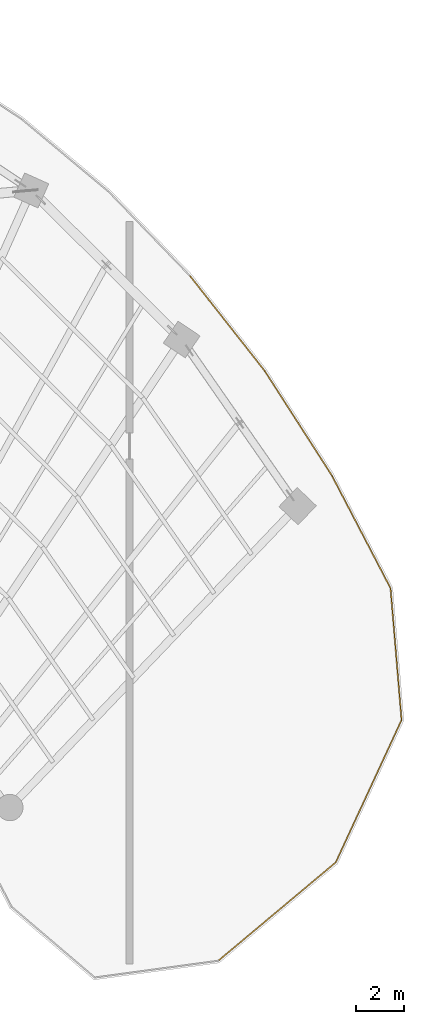
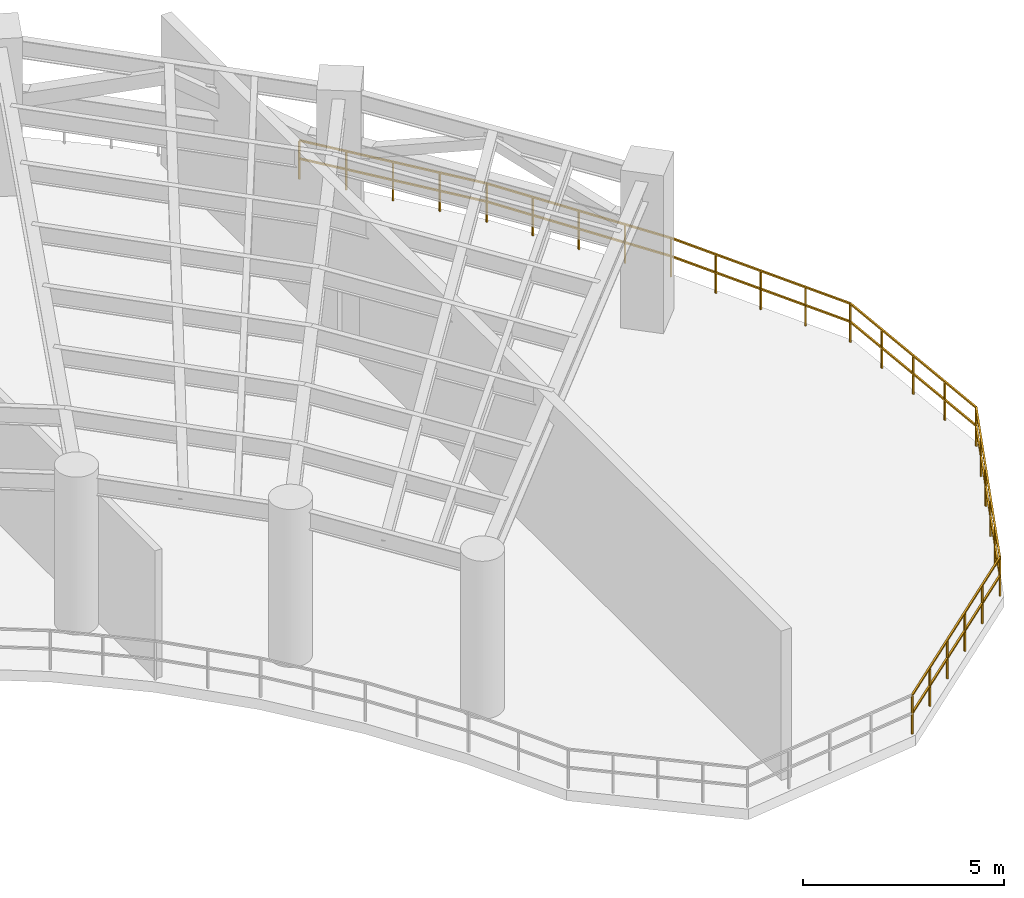
# One storey, part 19 of 19: 6 railings.
"""IFC4 building model written with IfcOpenShell, lengths in metres."""

from ifc_helpers import new_model, si_unit, direction, frame, origin, origin_2d, place, context, subcontext, project, spatial, rectangle, extrude, material, type_object, element, save


model = new_model("IFC4")

# Units and contexts
model_context = context("Model", 3, precision=1e-05, world=origin(), true_north=direction((0.0, 1.0)))
body_context = subcontext(model_context, "Body", "Model", "MODEL_VIEW")
ifc_project = project(units=[si_unit("LENGTHUNIT", "METRE"), si_unit("AREAUNIT", "SQUARE_METRE"), si_unit("VOLUMEUNIT", "CUBIC_METRE"), si_unit("PLANEANGLEUNIT", "RADIAN"), si_unit("MASSUNIT", "GRAM", prefix="KILO")], contexts=[model_context])

# Site, building, storey
site_placement = place(None, origin())
site = spatial("IfcSite", under=ifc_project, at=site_placement, CompositionType="ELEMENT")
building_placement = place(site_placement, origin())
building = spatial("IfcBuilding", under=site, at=building_placement, Name="Breltana Convention Tower", CompositionType="ELEMENT")
storey_placement = place(building_placement, frame((0.0, 0.0, 194.39990234375)))
storey = spatial("IfcBuildingStorey", under=building, at=storey_placement, Name="L47", CompositionType="ELEMENT", Elevation=194.39990234375)

# Railings
ifc_material = material(Name="Stainless Steel 316L", Category="steel")
railing_type = type_object("IfcRailingType", Name="RL-WIND-GUARD-1200", PredefinedType="BALUSTRADE", material=ifc_material)
railing_1_placement = place(storey_placement, frame((83.859130859375, 52.07958984375, 0.0)))
element("IfcRailing", 1, at=railing_1_placement, inside=storey, type_object=railing_type, Name="L47 perimeter balustrade 1", PredefinedType="BALUSTRADE", context=body_context, shape_type="SweptSolid", body=[
    extrude(rectangle(XDim=0.048095703125, YDim=0.048095703125, at=origin_2d()), frame((0.0, 0.0, 1.17578125), z_axis=(0.08330244177, -0.996524311392, 0.0), x_axis=(0.996524311392, 0.08330244177, 0.0)), (0.0, 0.0, 1.0), 5.50390625),
    extrude(rectangle(XDim=0.048095703125, YDim=0.048095703125, at=origin_2d()), frame((0.0, 0.0, 0.6240234375), z_axis=(0.08330244177, -0.996524311392, 0.0), x_axis=(0.996524311392, 0.08330244177, 0.0)), (0.0, 0.0, 1.0), 5.50390625),
    extrude(rectangle(XDim=0.0419921875, YDim=0.0419921875, at=origin_2d()), origin(), (0.0, 0.0, 1.0), 1.15185546875),
    extrude(rectangle(XDim=0.0419921875, YDim=0.0419921875, at=origin_2d()), frame((0.11474609375, -1.37109375, 0.0)), (0.0, 0.0, 1.0), 1.15185546875),
    extrude(rectangle(XDim=0.0419921875, YDim=0.0419921875, at=origin_2d()), frame((0.229248046875, -2.742431640625, 0.0)), (0.0, 0.0, 1.0), 1.15185546875),
    extrude(rectangle(XDim=0.0419921875, YDim=0.0419921875, at=origin_2d()), frame((0.34375, -4.11376953125, 0.0)), (0.0, 0.0, 1.0), 1.15185546875),
    extrude(rectangle(XDim=0.0419921875, YDim=0.0419921875, at=origin_2d()), frame((0.45849609375, -5.48486328125, 0.0)), (0.0, 0.0, 1.0), 1.15185546875),
])
railing_2_placement = place(storey_placement, frame((84.317626953125, 46.5947265625, 0.0)))
element("IfcRailing", 2, at=railing_2_placement, inside=storey, type_object=railing_type, Name="L47 perimeter balustrade 2", PredefinedType="BALUSTRADE", context=body_context, shape_type="SweptSolid", body=[
    extrude(rectangle(XDim=0.048095703125, YDim=0.048095703125, at=origin_2d()), frame((0.0, 0.0, 1.17578125), z_axis=(-0.419620331812, -0.907699717489, 0.0), x_axis=(0.907699717489, -0.419620331812, 0.0)), (0.0, 0.0, 1.0), 6.526123046875),
    extrude(rectangle(XDim=0.048095703125, YDim=0.048095703125, at=origin_2d()), frame((0.0, 0.0, 0.6240234375), z_axis=(-0.419620331812, -0.907699717489, 0.0), x_axis=(0.907699717489, -0.419620331812, 0.0)), (0.0, 0.0, 1.0), 6.526123046875),
    extrude(rectangle(XDim=0.0419921875, YDim=0.0419921875, at=origin_2d()), origin(), (0.0, 0.0, 1.0), 1.15185546875),
    extrude(rectangle(XDim=0.0419921875, YDim=0.0419921875, at=origin_2d()), frame((-0.547607421875, -1.184814453125, 0.0)), (0.0, 0.0, 1.0), 1.15185546875),
    extrude(rectangle(XDim=0.0419921875, YDim=0.0419921875, at=origin_2d()), frame((-1.095458984375, -2.36962890625, 0.0)), (0.0, 0.0, 1.0), 1.15185546875),
    extrude(rectangle(XDim=0.0419921875, YDim=0.0419921875, at=origin_2d()), frame((-1.64306640625, -3.55419921875, 0.0)), (0.0, 0.0, 1.0), 1.15185546875),
    extrude(rectangle(XDim=0.0419921875, YDim=0.0419921875, at=origin_2d()), frame((-2.19091796875, -4.739013671875, 0.0)), (0.0, 0.0, 1.0), 1.15185546875),
    extrude(rectangle(XDim=0.0419921875, YDim=0.0419921875, at=origin_2d()), frame((-2.738525390625, -5.923828125, 0.0)), (0.0, 0.0, 1.0), 1.15185546875),
])
railing_3_placement = place(storey_placement, frame((81.5791015625, 40.6708984375, 0.0)))
element("IfcRailing", 3, at=railing_3_placement, inside=storey, type_object=railing_type, Name="L47 perimeter balustrade 3", PredefinedType="BALUSTRADE", context=body_context, shape_type="SweptSolid", body=[
    extrude(rectangle(XDim=0.048095703125, YDim=0.048095703125, at=origin_2d()), frame((0.0, 0.0, 1.17578125), z_axis=(-0.766721722437, -0.641979594959, 0.0), x_axis=(0.641979594959, -0.766721722437, 0.0)), (0.0, 0.0, 1.0), 6.37451171875),
    extrude(rectangle(XDim=0.048095703125, YDim=0.048095703125, at=origin_2d()), frame((0.0, 0.0, 0.6240234375), z_axis=(-0.766721722437, -0.641979594959, 0.0), x_axis=(0.641979594959, -0.766721722437, 0.0)), (0.0, 0.0, 1.0), 6.37451171875),
    extrude(rectangle(XDim=0.0419921875, YDim=0.0419921875, at=origin_2d()), origin(), (0.0, 0.0, 1.0), 1.15185546875),
    extrude(rectangle(XDim=0.0419921875, YDim=0.0419921875, at=origin_2d()), frame((-0.9775390625, -0.818359375, 0.0)), (0.0, 0.0, 1.0), 1.15185546875),
    extrude(rectangle(XDim=0.0419921875, YDim=0.0419921875, at=origin_2d()), frame((-1.955078125, -1.636962890625, 0.0)), (0.0, 0.0, 1.0), 1.15185546875),
    extrude(rectangle(XDim=0.0419921875, YDim=0.0419921875, at=origin_2d()), frame((-2.932373046875, -2.455322265625, 0.0)), (0.0, 0.0, 1.0), 1.15185546875),
    extrude(rectangle(XDim=0.0419921875, YDim=0.0419921875, at=origin_2d()), frame((-3.909912109375, -3.27392578125, 0.0)), (0.0, 0.0, 1.0), 1.15185546875),
    extrude(rectangle(XDim=0.0419921875, YDim=0.0419921875, at=origin_2d()), frame((-4.887451171875, -4.09228515625, 0.0)), (0.0, 0.0, 1.0), 1.15185546875),
])
railing_4_placement = place(storey_placement, frame((75.517333984375, 65.072998046875, 0.0)))
element("IfcRailing", 4, at=railing_4_placement, inside=storey, type_object=railing_type, Name="L47 perimeter balustrade 67", PredefinedType="BALUSTRADE", context=body_context, shape_type="SweptSolid", body=[
    extrude(rectangle(XDim=0.048095703125, YDim=0.048095703125, at=origin_2d()), frame((0.0, 0.0, 1.17578125), z_axis=(0.618143380073, -0.786065367302, 0.0), x_axis=(0.786065367302, 0.618143380073, 0.0)), (0.0, 0.0, 1.0), 5.024658203125),
    extrude(rectangle(XDim=0.048095703125, YDim=0.048095703125, at=origin_2d()), frame((0.0, 0.0, 0.6240234375), z_axis=(0.618143380073, -0.786065367302, 0.0), x_axis=(0.786065367302, 0.618143380073, 0.0)), (0.0, 0.0, 1.0), 5.024658203125),
    extrude(rectangle(XDim=0.0419921875, YDim=0.0419921875, at=origin_2d()), origin(), (0.0, 0.0, 1.0), 1.15185546875),
    extrude(rectangle(XDim=0.0419921875, YDim=0.0419921875, at=origin_2d()), frame((0.7763671875, -0.9873046875, 0.0)), (0.0, 0.0, 1.0), 1.15185546875),
    extrude(rectangle(XDim=0.0419921875, YDim=0.0419921875, at=origin_2d()), frame((1.552978515625, -1.974853515625, 0.0)), (0.0, 0.0, 1.0), 1.15185546875),
    extrude(rectangle(XDim=0.0419921875, YDim=0.0419921875, at=origin_2d()), frame((2.32958984375, -2.96240234375, 0.0)), (0.0, 0.0, 1.0), 1.15185546875),
    extrude(rectangle(XDim=0.0419921875, YDim=0.0419921875, at=origin_2d()), frame((3.10595703125, -3.94970703125, 0.0)), (0.0, 0.0, 1.0), 1.15185546875),
])
railing_5_placement = place(storey_placement, frame((78.623291015625, 61.123291015625, 0.0)))
element("IfcRailing", 5, at=railing_5_placement, inside=storey, type_object=railing_type, Name="L47 perimeter balustrade 68", PredefinedType="BALUSTRADE", context=body_context, shape_type="SweptSolid", body=[
    extrude(rectangle(XDim=0.048095703125, YDim=0.048095703125, at=origin_2d()), frame((0.0, 0.0, 1.17578125), z_axis=(0.540198963589, -0.841537331161, 0.0), x_axis=(0.841537331161, 0.540198963589, 0.0)), (0.0, 0.0, 1.0), 5.169921875),
    extrude(rectangle(XDim=0.048095703125, YDim=0.048095703125, at=origin_2d()), frame((0.0, 0.0, 0.6240234375), z_axis=(0.540198963589, -0.841537331161, 0.0), x_axis=(0.841537331161, 0.540198963589, 0.0)), (0.0, 0.0, 1.0), 5.169921875),
    extrude(rectangle(XDim=0.0419921875, YDim=0.0419921875, at=origin_2d()), origin(), (0.0, 0.0, 1.0), 1.15185546875),
    extrude(rectangle(XDim=0.0419921875, YDim=0.0419921875, at=origin_2d()), frame((0.6982421875, -1.087646484375, 0.0)), (0.0, 0.0, 1.0), 1.15185546875),
    extrude(rectangle(XDim=0.0419921875, YDim=0.0419921875, at=origin_2d()), frame((1.396484375, -2.17529296875, 0.0)), (0.0, 0.0, 1.0), 1.15185546875),
    extrude(rectangle(XDim=0.0419921875, YDim=0.0419921875, at=origin_2d()), frame((2.094482421875, -3.262939453125, 0.0)), (0.0, 0.0, 1.0), 1.15185546875),
    extrude(rectangle(XDim=0.0419921875, YDim=0.0419921875, at=origin_2d()), frame((2.792724609375, -4.3505859375, 0.0)), (0.0, 0.0, 1.0), 1.15185546875),
])
railing_6_placement = place(storey_placement, frame((81.416015625, 56.772705078125, 0.0)))
element("IfcRailing", 6, at=railing_6_placement, inside=storey, type_object=railing_type, Name="L47 perimeter balustrade 69", PredefinedType="BALUSTRADE", context=body_context, shape_type="SweptSolid", body=[
    extrude(rectangle(XDim=0.048095703125, YDim=0.048095703125, at=origin_2d()), frame((0.0, 0.0, 1.17578125), z_axis=(0.461753680918, -0.887008195091, 0.0), x_axis=(0.887008195091, 0.461753680918, 0.0)), (0.0, 0.0, 1.0), 5.291015625),
    extrude(rectangle(XDim=0.048095703125, YDim=0.048095703125, at=origin_2d()), frame((0.0, 0.0, 0.6240234375), z_axis=(0.461753680918, -0.887008195091, 0.0), x_axis=(0.887008195091, 0.461753680918, 0.0)), (0.0, 0.0, 1.0), 5.291015625),
    extrude(rectangle(XDim=0.0419921875, YDim=0.0419921875, at=origin_2d()), origin(), (0.0, 0.0, 1.0), 1.15185546875),
    extrude(rectangle(XDim=0.0419921875, YDim=0.0419921875, at=origin_2d()), frame((0.61083984375, -1.17333984375, 0.0)), (0.0, 0.0, 1.0), 1.15185546875),
    extrude(rectangle(XDim=0.0419921875, YDim=0.0419921875, at=origin_2d()), frame((1.2216796875, -2.3466796875, 0.0)), (0.0, 0.0, 1.0), 1.15185546875),
    extrude(rectangle(XDim=0.0419921875, YDim=0.0419921875, at=origin_2d()), frame((1.832275390625, -3.519775390625, 0.0)), (0.0, 0.0, 1.0), 1.15185546875),
    extrude(rectangle(XDim=0.0419921875, YDim=0.0419921875, at=origin_2d()), frame((2.443115234375, -4.693115234375, 0.0)), (0.0, 0.0, 1.0), 1.15185546875),
])

save(model, "model.ifc")
